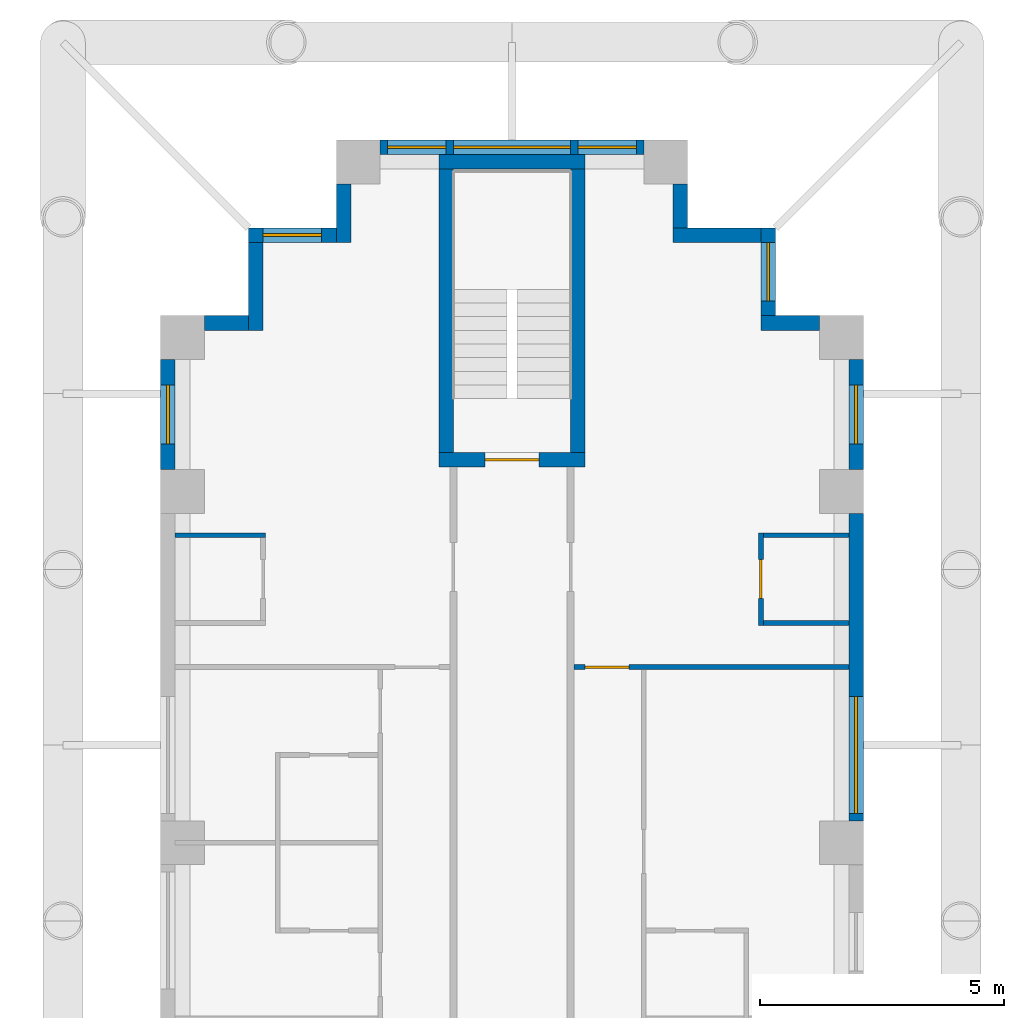
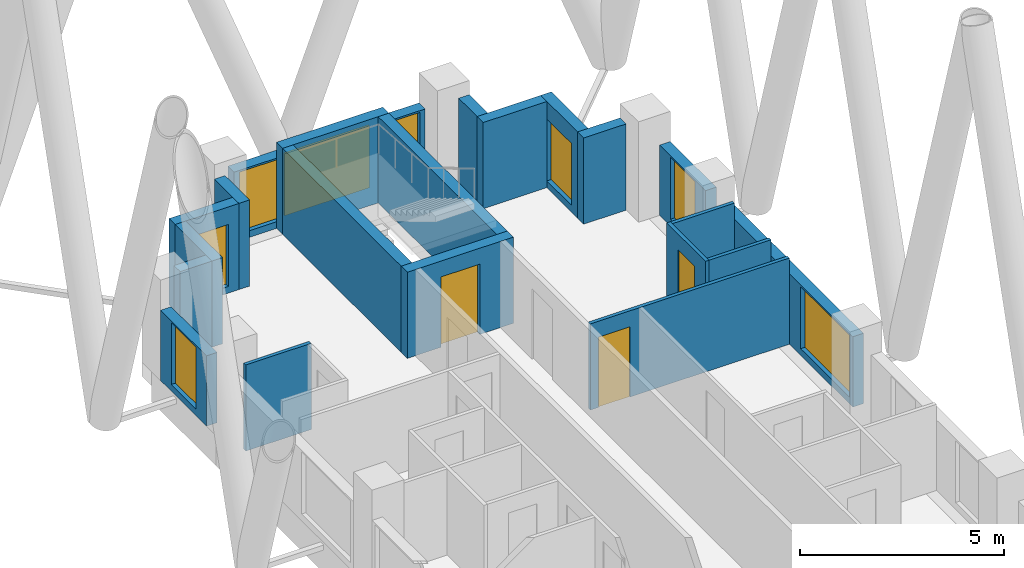
# One storey, part 13 of 17: 21 walls, 8 windows, 3 doors, 11 openings.
"""IFC4 building model written with IfcOpenShell, lengths in metres."""

from ifc_helpers import new_model, si_unit, direction, frame, frame_2d, origin, place, context, subcontext, project, spatial, rectangle, extrude, material, layer, layer_set, type_object, element, fill, save


model = new_model("IFC4")

# Units and contexts
model_context = context("Model", 3, precision=1e-05, world=origin(), true_north=direction((0.0, 1.0)))
body_context = subcontext(model_context, "Body", "Model", "MODEL_VIEW")
ifc_project = project(units=[si_unit("LENGTHUNIT", "METRE"), si_unit("AREAUNIT", "SQUARE_METRE"), si_unit("VOLUMEUNIT", "CUBIC_METRE"), si_unit("PLANEANGLEUNIT", "RADIAN"), si_unit("MASSUNIT", "GRAM", prefix="KILO")], contexts=[model_context])

# Site, building, storey
site_placement = place(None, origin())
site = spatial("IfcSite", under=ifc_project, at=site_placement, CompositionType="ELEMENT")
building_placement = place(site_placement, origin())
building = spatial("IfcBuilding", under=site, at=building_placement, Name="Fustian Cross Tower", CompositionType="ELEMENT")
storey_placement = place(building_placement, frame((0.0, 0.0, 32.699951171875)))
storey = spatial("IfcBuildingStorey", under=building, at=storey_placement, Name="L09", CompositionType="ELEMENT", Elevation=32.699951171875)

# Wall
ifc_material_1 = material(Name="Plasterboard on steel stud", Category="steel")
ifc_layer_1 = layer(ifc_material_1, 0.10009765625)
ifc_layer_set_1 = layer_set([ifc_layer_1], Name="Plasterboard on steel stud")
wall_type_1 = type_object("IfcWallType", Name="PARTITION 100 STUD", PredefinedType="PARTITIONING", material=ifc_layer_set_1)
wall_1_placement = place(storey_placement, frame((-6.89990234375, 35.10009765625, 0.0), z_axis=(0.0, 0.0, 1.0), x_axis=(1.0, 0.0, 0.0)))
element("IfcWall", 1, at=wall_1_placement, inside=storey, type_object=wall_type_1, Name="Partition 20", PredefinedType="PARTITIONING", context=body_context, shape_type="SweptSolid", body=[
    extrude(rectangle(XDim=1.849853515625, YDim=0.10009765625, at=frame_2d((0.9248046875, 0.0))), origin(), (0.0, 0.0, 1.0), 2.574951171875),
])

# Wall, opening, door
wall_2_placement = place(storey_placement, frame((1.27490234375, 32.39990234375, 0.0), z_axis=(0.0, 0.0, 1.0), x_axis=(1.0, 0.0, 0.0)))
wall_2 = element("IfcWall", 2, at=wall_2_placement, inside=storey, type_object=wall_type_1, Name="Partition 61", PredefinedType="PARTITIONING", context=body_context, shape_type="SweptSolid", body=[
    extrude(rectangle(XDim=5.625, YDim=0.10009765625, at=frame_2d((2.8125, 0.0))), origin(), (0.0, 0.0, 1.0), 2.574951171875),
])
opening_1_placement = place(wall_2_placement, frame((0.22509765625, 0.0, 0.0)))
opening_1 = element("IfcOpeningElement", 3, at=opening_1_placement, cuts=wall_2, Name="Opening D06037", PredefinedType="OPENING", context=body_context, shape_type="SweptSolid", body=[
    extrude(rectangle(XDim=0.89990234375, YDim=2.10009765625, at=frame_2d((0.449951171875, 1.050048828125))), frame((0.0, 0.06005859375, 0.0), z_axis=(0.0, -1.0, 0.0), x_axis=(1.0, 0.0, 0.0)), (0.0, 0.0, 1.0), 0.1201171875),
])
ifc_material_2 = material(Name="Painted timber", Category="wood")
door_type_1 = type_object("IfcDoorType", Name="SWING DOOR 900", OperationType="SINGLE_SWING_LEFT", PredefinedType="DOOR", material=ifc_material_2)
door_1_placement = place(opening_1_placement, frame((0.89990234375, 0.0, 0.0), z_axis=(0.0, 0.0, 1.0), x_axis=(-1.0, 0.0, 0.0)))
door_1 = element("IfcDoor", 4, at=door_1_placement, inside=storey, type_object=door_type_1, Name="Door D06037", OperationType="SINGLE_SWING_RIGHT", OverallHeight=2.10009765625, OverallWidth=0.89990234375, PredefinedType="DOOR", context=body_context, shape_type="SweptSolid", body=[
    extrude(rectangle(XDim=0.89990234375, YDim=2.10009765625, at=frame_2d((0.449951171875, 1.050048828125))), frame((0.0, 0.02490234375, 0.0), z_axis=(0.0, -1.0, 0.0), x_axis=(1.0, 0.0, 0.0)), (0.0, 0.0, 1.0), 0.050048828125),
])
fill(opening_1, door_1)

wall_3_placement = place(storey_placement, frame((5.10009765625, 33.25, 0.0), z_axis=(0.0, 0.0, 1.0), x_axis=(0.0, 1.0, 0.0)))
wall_3 = element("IfcWall", 5, at=wall_3_placement, inside=storey, type_object=wall_type_1, Name="Partition 84", PredefinedType="PARTITIONING", context=body_context, shape_type="SweptSolid", body=[
    extrude(rectangle(XDim=1.89990234375, YDim=0.10009765625, at=frame_2d((0.949951171875, 0.0))), origin(), (0.0, 0.0, 1.0), 2.574951171875),
])
opening_2_placement = place(wall_3_placement, frame((0.550048828125, 0.0, 0.0)))
opening_2 = element("IfcOpeningElement", 6, at=opening_2_placement, cuts=wall_3, Name="Opening D06035", PredefinedType="OPENING", context=body_context, shape_type="SweptSolid", body=[
    extrude(rectangle(XDim=0.800048828125, YDim=2.10009765625, at=frame_2d((0.39990234375, 1.050048828125))), frame((0.0, 0.06005859375, 0.0), z_axis=(0.0, -1.0, 0.0), x_axis=(1.0, 0.0, 0.0)), (0.0, 0.0, 1.0), 0.1201171875),
])
ifc_material_3 = material(Name="Painted timber", Category="wood")
door_type_2 = type_object("IfcDoorType", Name="SWING DOOR 800", OperationType="SINGLE_SWING_LEFT", PredefinedType="DOOR", material=ifc_material_3)
door_2_placement = place(opening_2_placement, frame((0.800048828125, 0.0, 0.0), z_axis=(0.0, 0.0, 1.0), x_axis=(-1.0, 0.0, 0.0)))
door_2 = element("IfcDoor", 7, at=door_2_placement, inside=storey, type_object=door_type_2, Name="Door D06035", OperationType="SINGLE_SWING_LEFT", OverallHeight=2.10009765625, OverallWidth=0.800048828125, PredefinedType="DOOR", context=body_context, shape_type="SweptSolid", body=[
    extrude(rectangle(XDim=0.800048828125, YDim=2.10009765625, at=frame_2d((0.39990234375, 1.050048828125))), frame((0.0, 0.02490234375, 0.0), z_axis=(0.0, -1.0, 0.0), x_axis=(1.0, 0.0, 0.0)), (0.0, 0.0, 1.0), 0.050048828125),
])
fill(opening_2, door_2)

# Walls
for number, where, z_axis, x_axis, name in (
    (8, (5.14990234375, 33.300048828125, 0.0), (0.0, 0.0, 1.0), (1.0, 0.0, 0.0), "Partition 85"),
    (9, (5.14990234375, 35.10009765625, 0.0), (0.0, 0.0, 1.0), (1.0, 0.0, 0.0), "Partition 86"),
):
    element("IfcWall", number, at=place(storey_placement, frame(where, z_axis=z_axis, x_axis=x_axis)), inside=storey, type_object=wall_type_1, Name=name, PredefinedType="PARTITIONING", context=body_context, shape_type="SweptSolid", body=[
        extrude(rectangle(XDim=1.75, YDim=0.10009765625, at=frame_2d((0.875, 0.0))), origin(), (0.0, 0.0, 1.0), 2.574951171875),
    ])

# Wall, opening, door
ifc_material_4 = material(Name="Concrete C50/60", Category="concrete")
ifc_layer_2 = layer(ifc_material_4, 0.300048828125)
ifc_layer_set_2 = layer_set([ifc_layer_2], Name="Concrete C50/60")
wall_type_2 = type_object("IfcWallType", Name="STAIR ENCLOSURE WALL 300 C50/60", PredefinedType="SHEAR", material=ifc_layer_set_2)
wall_4_placement = place(storey_placement, frame((-1.5, 36.64990234375, 0.0), z_axis=(0.0, 0.0, 1.0), x_axis=(1.0, 0.0, 0.0)))
wall_4 = element("IfcWall", 10, at=wall_4_placement, inside=storey, type_object=wall_type_2, Name="Stair enclosure wall", PredefinedType="SHEAR", context=body_context, shape_type="SweptSolid", body=[
    extrude(rectangle(XDim=3.0, YDim=0.300048828125, at=frame_2d((1.5, 0.0))), origin(), (0.0, 0.0, 1.0), 2.574951171875),
])
opening_3_placement = place(wall_4_placement, frame((0.949951171875, 0.0, 0.0)))
opening_3 = element("IfcOpeningElement", 11, at=opening_3_placement, cuts=wall_4, Name="Opening CD-06-31", PredefinedType="OPENING", context=body_context, shape_type="SweptSolid", body=[
    extrude(rectangle(XDim=1.10009765625, YDim=2.10009765625, at=frame_2d((0.550048828125, 1.050048828125))), frame((0.0, 0.159912109375, 0.0), z_axis=(0.0, -1.0, 0.0), x_axis=(1.0, 0.0, 0.0)), (0.0, 0.0, 1.0), 0.320068359375),
])
ifc_material_5 = material(Name="Steel", Category="steel")
door_type_3 = type_object("IfcDoorType", Name="FIRE DOOR FD60S 1100X2100", OperationType="SINGLE_SWING_LEFT", PredefinedType="DOOR", material=ifc_material_5)
door_3_placement = place(opening_3_placement, origin())
door_3 = element("IfcDoor", 12, at=door_3_placement, inside=storey, type_object=door_type_3, Name="Core door CD-06-31", OperationType="SINGLE_SWING_LEFT", OverallHeight=2.10009765625, OverallWidth=1.10009765625, PredefinedType="DOOR", context=body_context, shape_type="SweptSolid", body=[
    extrude(rectangle(XDim=1.10009765625, YDim=2.10009765625, at=frame_2d((0.550048828125, 1.050048828125))), frame((0.0, 0.02490234375, 0.0), z_axis=(0.0, -1.0, 0.0), x_axis=(1.0, 0.0, 0.0)), (0.0, 0.0, 1.0), 0.050048828125),
])
fill(opening_3, door_3)

# Walls
wall_5_placement = place(storey_placement, frame((-1.5, 42.75, 0.0), z_axis=(0.0, 0.0, 1.0), x_axis=(1.0, 0.0, 0.0)))
element("IfcWall", 13, at=wall_5_placement, inside=storey, type_object=wall_type_2, Name="Stair enclosure wall", PredefinedType="SHEAR", context=body_context, shape_type="SweptSolid", body=[
    extrude(rectangle(XDim=3.0, YDim=0.300048828125, at=frame_2d((1.5, 0.0))), origin(), (0.0, 0.0, 1.0), 2.574951171875),
])
for number, where, z_axis, x_axis, name in (
    (14, (-1.35009765625, 36.800048828125, 0.0), (0.0, 0.0, 1.0), (0.0, 1.0, 0.0), "Stair enclosure wall"),
    (15, (1.35009765625, 36.800048828125, 0.0), (0.0, 0.0, 1.0), (0.0, 1.0, 0.0), "Stair enclosure wall"),
):
    element("IfcWall", number, at=place(storey_placement, frame(where, z_axis=z_axis, x_axis=x_axis)), inside=storey, type_object=wall_type_2, Name=name, PredefinedType="SHEAR", context=body_context, shape_type="SweptSolid", body=[
        extrude(rectangle(XDim=5.800048828125, YDim=0.300048828125, at=frame_2d((2.89990234375, 0.0))), origin(), (0.0, 0.0, 1.0), 2.574951171875),
    ])

# Wall, opening, window
ifc_material_6 = material(Name="Dark aluminium cladding on insulated backing wall", Category="aluminium")
ifc_layer_3 = layer(ifc_material_6, 0.300048828125)
ifc_layer_set_3 = layer_set([ifc_layer_3], Name="Dark aluminium cladding on insulated backing wall")
wall_type_3 = type_object("IfcWallType", Name="XW1 EXTERNAL WALL 300", PredefinedType="SOLIDWALL", material=ifc_layer_set_3)
wall_6_placement = place(storey_placement, frame((7.050048828125, 29.25, 0.0), z_axis=(0.0, 0.0, 1.0), x_axis=(0.0, 1.0, 0.0)))
wall_6 = element("IfcWall", 16, at=wall_6_placement, inside=storey, type_object=wall_type_3, Name="External wall", PredefinedType="SOLIDWALL", context=body_context, shape_type="SweptSolid", body=[
    extrude(rectangle(XDim=6.300048828125, YDim=0.300048828125, at=frame_2d((3.14990234375, 0.0))), origin(), (0.0, 0.0, 1.0), 2.10009765625),
])
opening_4_placement = place(wall_6_placement, frame((0.14990234375, 0.0, 0.199951171875)))
opening_4 = element("IfcOpeningElement", 17, at=opening_4_placement, cuts=wall_6, Name="Opening WN1", PredefinedType="OPENING", context=body_context, shape_type="SweptSolid", body=[
    extrude(rectangle(XDim=2.39990234375, YDim=1.85009765625, at=frame_2d((1.199951171875, 0.925048828125))), frame((0.0, 0.159912109375, 0.0), z_axis=(0.0, -1.0, 0.0), x_axis=(1.0, 0.0, 0.0)), (0.0, 0.0, 1.0), 0.320068359375),
])
ifc_material_7 = material(Name="Dark anodised aluminium and double glazing", Category="aluminium")
window_type_1 = type_object("IfcWindowType", Name="WN1 WINDOW 2400X1850", PartitioningType="SINGLE_PANEL", PredefinedType="WINDOW", material=ifc_material_7)
window_1_placement = place(opening_4_placement, origin())
window_1 = element("IfcWindow", 18, at=window_1_placement, inside=storey, type_object=window_type_1, Name="Window", OverallHeight=1.85009765625, OverallWidth=2.39990234375, PartitioningType="SINGLE_PANEL", PredefinedType="WINDOW", context=body_context, shape_type="SweptSolid", body=[
    extrude(rectangle(XDim=2.39990234375, YDim=1.85009765625, at=frame_2d((1.199951171875, 0.925048828125))), frame((0.0, 0.030029296875, 0.0), z_axis=(0.0, -1.0, 0.0), x_axis=(1.0, 0.0, 0.0)), (0.0, 0.0, 1.0), 0.06005859375),
])
fill(opening_4, window_1)

wall_7_placement = place(storey_placement, frame((7.050048828125, 36.449951171875, 0.0), z_axis=(0.0, 0.0, 1.0), x_axis=(0.0, 1.0, 0.0)))
wall_7 = element("IfcWall", 19, at=wall_7_placement, inside=storey, type_object=wall_type_3, Name="External wall", PredefinedType="SOLIDWALL", context=body_context, shape_type="SweptSolid", body=[
    extrude(rectangle(XDim=2.25, YDim=0.300048828125, at=frame_2d((1.125, 0.0))), origin(), (0.0, 0.0, 1.0), 2.10009765625),
])
opening_5_placement = place(wall_7_placement, frame((0.52490234375, 0.0, 0.199951171875)))
opening_5 = element("IfcOpeningElement", 20, at=opening_5_placement, cuts=wall_7, Name="Opening WN3", PredefinedType="OPENING", context=body_context, shape_type="SweptSolid", body=[
    extrude(rectangle(XDim=1.199951171875, YDim=1.85009765625, at=frame_2d((0.60009765625, 0.925048828125))), frame((0.0, 0.159912109375, 0.0), z_axis=(0.0, -1.0, 0.0), x_axis=(1.0, 0.0, 0.0)), (0.0, 0.0, 1.0), 0.320068359375),
])
ifc_material_8 = material(Name="Dark anodised aluminium and double glazing", Category="aluminium")
window_type_2 = type_object("IfcWindowType", Name="WN3 WINDOW 1200X1850", PartitioningType="SINGLE_PANEL", PredefinedType="WINDOW", material=ifc_material_8)
window_2_placement = place(opening_5_placement, origin())
window_2 = element("IfcWindow", 21, at=window_2_placement, inside=storey, type_object=window_type_2, Name="Window", OverallHeight=1.85009765625, OverallWidth=1.199951171875, PartitioningType="SINGLE_PANEL", PredefinedType="WINDOW", context=body_context, shape_type="SweptSolid", body=[
    extrude(rectangle(XDim=1.199951171875, YDim=1.85009765625, at=frame_2d((0.60009765625, 0.925048828125))), frame((0.0, 0.030029296875, 0.0), z_axis=(0.0, -1.0, 0.0), x_axis=(1.0, 0.0, 0.0)), (0.0, 0.0, 1.0), 0.06005859375),
])
fill(opening_5, window_2)

# Wall
wall_8_placement = place(storey_placement, frame((6.300048828125, 39.449951171875, 0.0), z_axis=(0.0, 0.0, 1.0), x_axis=(-1.0, 0.0, 0.0)))
element("IfcWall", 22, at=wall_8_placement, inside=storey, type_object=wall_type_3, Name="External wall", PredefinedType="SOLIDWALL", context=body_context, shape_type="SweptSolid", body=[
    extrude(rectangle(XDim=1.199951171875, YDim=0.300048828125, at=frame_2d((0.60009765625, 0.0))), origin(), (0.0, 0.0, 1.0), 2.574951171875),
])

# Wall, opening, window
wall_9_placement = place(storey_placement, frame((5.25, 39.60009765625, 0.0), z_axis=(0.0, 0.0, 1.0), x_axis=(0.0, 1.0, 0.0)))
wall_9 = element("IfcWall", 23, at=wall_9_placement, inside=storey, type_object=wall_type_3, Name="External wall", PredefinedType="SOLIDWALL", context=body_context, shape_type="SweptSolid", body=[
    extrude(rectangle(XDim=1.7998046875, YDim=0.300048828125, at=frame_2d((0.89990234375, 0.0))), origin(), (0.0, 0.0, 1.0), 2.574951171875),
])
opening_6_placement = place(wall_9_placement, frame((0.300048828125, 0.0, 0.199951171875)))
opening_6 = element("IfcOpeningElement", 24, at=opening_6_placement, cuts=wall_9, Name="Opening WN3", PredefinedType="OPENING", context=body_context, shape_type="SweptSolid", body=[
    extrude(rectangle(XDim=1.199951171875, YDim=1.85009765625, at=frame_2d((0.60009765625, 0.925048828125))), frame((0.0, 0.159912109375, 0.0), z_axis=(0.0, -1.0, 0.0), x_axis=(1.0, 0.0, 0.0)), (0.0, 0.0, 1.0), 0.320068359375),
])
window_3_placement = place(opening_6_placement, origin())
window_3 = element("IfcWindow", 25, at=window_3_placement, inside=storey, type_object=window_type_2, Name="Window", OverallHeight=1.85009765625, OverallWidth=1.199951171875, PartitioningType="SINGLE_PANEL", PredefinedType="WINDOW", context=body_context, shape_type="SweptSolid", body=[
    extrude(rectangle(XDim=1.199951171875, YDim=1.85009765625, at=frame_2d((0.60009765625, 0.925048828125))), frame((0.0, 0.030029296875, 0.0), z_axis=(0.0, -1.0, 0.0), x_axis=(1.0, 0.0, 0.0)), (0.0, 0.0, 1.0), 0.06005859375),
])
fill(opening_6, window_3)

# Walls
wall_10_placement = place(storey_placement, frame((5.10009765625, 41.25, 0.0), z_axis=(0.0, 0.0, 1.0), x_axis=(-1.0, 0.0, 0.0)))
element("IfcWall", 26, at=wall_10_placement, inside=storey, type_object=wall_type_3, Name="External wall", PredefinedType="SOLIDWALL", context=body_context, shape_type="SweptSolid", body=[
    extrude(rectangle(XDim=1.800048828125, YDim=0.300048828125, at=frame_2d((0.89990234375, 0.0))), origin(), (0.0, 0.0, 1.0), 2.574951171875),
])
wall_11_placement = place(storey_placement, frame((3.449951171875, 41.39990234375, 0.0), z_axis=(0.0, 0.0, 1.0), x_axis=(0.0, 1.0, 0.0)))
element("IfcWall", 27, at=wall_11_placement, inside=storey, type_object=wall_type_3, Name="External wall", PredefinedType="SOLIDWALL", context=body_context, shape_type="SweptSolid", body=[
    extrude(rectangle(XDim=0.900146484375, YDim=0.300048828125, at=frame_2d((0.4501953125, 0.0))), origin(), (0.0, 0.0, 1.0), 2.574951171875),
])

# Wall, openings, windows
wall_12_placement = place(storey_placement, frame((2.699951171875, 43.050048828125, 0.0), z_axis=(0.0, 0.0, 1.0), x_axis=(-1.0, 0.0, 0.0)))
wall_12 = element("IfcWall", 28, at=wall_12_placement, inside=storey, type_object=wall_type_3, Name="External wall", PredefinedType="SOLIDWALL", context=body_context, shape_type="SweptSolid", body=[
    extrude(rectangle(XDim=5.39990234375, YDim=0.300048828125, at=frame_2d((2.699951171875, 0.0))), origin(), (0.0, 0.0, 1.0), 2.10009765625),
])
opening_7_placement = place(wall_12_placement, frame((1.5, 0.0, 0.199951171875)))
opening_7 = element("IfcOpeningElement", 29, at=opening_7_placement, cuts=wall_12, Name="Opening WN1", PredefinedType="OPENING", context=body_context, shape_type="SweptSolid", body=[
    extrude(rectangle(XDim=2.39990234375, YDim=1.85009765625, at=frame_2d((1.199951171875, 0.925048828125))), frame((0.0, 0.159912109375, 0.0), z_axis=(0.0, -1.0, 0.0), x_axis=(1.0, 0.0, 0.0)), (0.0, 0.0, 1.0), 0.320068359375),
])
opening_8_placement = place(wall_12_placement, frame((0.14990234375, 0.0, 0.199951171875)))
opening_8 = element("IfcOpeningElement", 30, at=opening_8_placement, cuts=wall_12, Name="Opening WN3", PredefinedType="OPENING", context=body_context, shape_type="SweptSolid", body=[
    extrude(rectangle(XDim=1.199951171875, YDim=1.85009765625, at=frame_2d((0.60009765625, 0.925048828125))), frame((0.0, 0.159912109375, 0.0), z_axis=(0.0, -1.0, 0.0), x_axis=(1.0, 0.0, 0.0)), (0.0, 0.0, 1.0), 0.320068359375),
])
opening_9_placement = place(wall_12_placement, frame((4.050048828125, 0.0, 0.199951171875)))
opening_9 = element("IfcOpeningElement", 31, at=opening_9_placement, cuts=wall_12, Name="Opening WN3", PredefinedType="OPENING", context=body_context, shape_type="SweptSolid", body=[
    extrude(rectangle(XDim=1.199951171875, YDim=1.85009765625, at=frame_2d((0.60009765625, 0.925048828125))), frame((0.0, 0.159912109375, 0.0), z_axis=(0.0, -1.0, 0.0), x_axis=(1.0, 0.0, 0.0)), (0.0, 0.0, 1.0), 0.320068359375),
])
window_4_placement = place(opening_7_placement, origin())
window_4 = element("IfcWindow", 32, at=window_4_placement, inside=storey, type_object=window_type_1, Name="Window", OverallHeight=1.85009765625, OverallWidth=2.39990234375, PartitioningType="SINGLE_PANEL", PredefinedType="WINDOW", context=body_context, shape_type="SweptSolid", body=[
    extrude(rectangle(XDim=2.39990234375, YDim=1.85009765625, at=frame_2d((1.199951171875, 0.925048828125))), frame((0.0, 0.030029296875, 0.0), z_axis=(0.0, -1.0, 0.0), x_axis=(1.0, 0.0, 0.0)), (0.0, 0.0, 1.0), 0.06005859375),
])
fill(opening_7, window_4)
window_5_placement = place(opening_8_placement, origin())
window_5 = element("IfcWindow", 33, at=window_5_placement, inside=storey, type_object=window_type_2, Name="Window", OverallHeight=1.85009765625, OverallWidth=1.199951171875, PartitioningType="SINGLE_PANEL", PredefinedType="WINDOW", context=body_context, shape_type="SweptSolid", body=[
    extrude(rectangle(XDim=1.199951171875, YDim=1.85009765625, at=frame_2d((0.60009765625, 0.925048828125))), frame((0.0, 0.030029296875, 0.0), z_axis=(0.0, -1.0, 0.0), x_axis=(1.0, 0.0, 0.0)), (0.0, 0.0, 1.0), 0.06005859375),
])
fill(opening_8, window_5)
window_6_placement = place(opening_9_placement, origin())
window_6 = element("IfcWindow", 34, at=window_6_placement, inside=storey, type_object=window_type_2, Name="Window", OverallHeight=1.85009765625, OverallWidth=1.199951171875, PartitioningType="SINGLE_PANEL", PredefinedType="WINDOW", context=body_context, shape_type="SweptSolid", body=[
    extrude(rectangle(XDim=1.199951171875, YDim=1.85009765625, at=frame_2d((0.60009765625, 0.925048828125))), frame((0.0, 0.030029296875, 0.0), z_axis=(0.0, -1.0, 0.0), x_axis=(1.0, 0.0, 0.0)), (0.0, 0.0, 1.0), 0.06005859375),
])
fill(opening_9, window_6)

# Wall
wall_13_placement = place(storey_placement, frame((-3.449951171875, 42.300048828125, 0.0), z_axis=(0.0, 0.0, 1.0), x_axis=(0.0, -1.0, 0.0)))
element("IfcWall", 35, at=wall_13_placement, inside=storey, type_object=wall_type_3, Name="External wall", PredefinedType="SOLIDWALL", context=body_context, shape_type="SweptSolid", body=[
    extrude(rectangle(XDim=1.199951171875, YDim=0.300048828125, at=frame_2d((0.60009765625, 0.0))), origin(), (0.0, 0.0, 1.0), 2.574951171875),
])

# Wall, opening, window
wall_14_placement = place(storey_placement, frame((-3.60009765625, 41.25, 0.0), z_axis=(0.0, 0.0, 1.0), x_axis=(-1.0, 0.0, 0.0)))
wall_14 = element("IfcWall", 36, at=wall_14_placement, inside=storey, type_object=wall_type_3, Name="External wall", PredefinedType="SOLIDWALL", context=body_context, shape_type="SweptSolid", body=[
    extrude(rectangle(XDim=1.7998046875, YDim=0.300048828125, at=frame_2d((0.89990234375, 0.0))), origin(), (0.0, 0.0, 1.0), 2.574951171875),
])
opening_10_placement = place(wall_14_placement, frame((0.300048828125, 0.0, 0.199951171875)))
opening_10 = element("IfcOpeningElement", 37, at=opening_10_placement, cuts=wall_14, Name="Opening WN3", PredefinedType="OPENING", context=body_context, shape_type="SweptSolid", body=[
    extrude(rectangle(XDim=1.199951171875, YDim=1.85009765625, at=frame_2d((0.60009765625, 0.925048828125))), frame((0.0, 0.159912109375, 0.0), z_axis=(0.0, -1.0, 0.0), x_axis=(1.0, 0.0, 0.0)), (0.0, 0.0, 1.0), 0.320068359375),
])
window_7_placement = place(opening_10_placement, origin())
window_7 = element("IfcWindow", 38, at=window_7_placement, inside=storey, type_object=window_type_2, Name="Window", OverallHeight=1.85009765625, OverallWidth=1.199951171875, PartitioningType="SINGLE_PANEL", PredefinedType="WINDOW", context=body_context, shape_type="SweptSolid", body=[
    extrude(rectangle(XDim=1.199951171875, YDim=1.85009765625, at=frame_2d((0.60009765625, 0.925048828125))), frame((0.0, 0.030029296875, 0.0), z_axis=(0.0, -1.0, 0.0), x_axis=(1.0, 0.0, 0.0)), (0.0, 0.0, 1.0), 0.06005859375),
])
fill(opening_10, window_7)

# Walls
wall_15_placement = place(storey_placement, frame((-5.25, 41.10009765625, 0.0), z_axis=(0.0, 0.0, 1.0), x_axis=(0.0, -1.0, 0.0)))
element("IfcWall", 39, at=wall_15_placement, inside=storey, type_object=wall_type_3, Name="External wall", PredefinedType="SOLIDWALL", context=body_context, shape_type="SweptSolid", body=[
    extrude(rectangle(XDim=1.800048828125, YDim=0.300048828125, at=frame_2d((0.89990234375, 0.0))), origin(), (0.0, 0.0, 1.0), 2.574951171875),
])
wall_16_placement = place(storey_placement, frame((-5.39990234375, 39.449951171875, 0.0), z_axis=(0.0, 0.0, 1.0), x_axis=(-1.0, 0.0, 0.0)))
element("IfcWall", 40, at=wall_16_placement, inside=storey, type_object=wall_type_3, Name="External wall", PredefinedType="SOLIDWALL", context=body_context, shape_type="SweptSolid", body=[
    extrude(rectangle(XDim=0.900146484375, YDim=0.300048828125, at=frame_2d((0.4501953125, 0.0))), origin(), (0.0, 0.0, 1.0), 2.574951171875),
])

# Wall, opening, window
wall_17_placement = place(storey_placement, frame((-7.050048828125, 38.699951171875, 0.0), z_axis=(0.0, 0.0, 1.0), x_axis=(0.0, -1.0, 0.0)))
wall_17 = element("IfcWall", 41, at=wall_17_placement, inside=storey, type_object=wall_type_3, Name="External wall", PredefinedType="SOLIDWALL", context=body_context, shape_type="SweptSolid", body=[
    extrude(rectangle(XDim=2.25, YDim=0.300048828125, at=frame_2d((1.125, 0.0))), origin(), (0.0, 0.0, 1.0), 2.10009765625),
])
opening_11_placement = place(wall_17_placement, frame((0.52490234375, 0.0, 0.199951171875)))
opening_11 = element("IfcOpeningElement", 42, at=opening_11_placement, cuts=wall_17, Name="Opening WN3", PredefinedType="OPENING", context=body_context, shape_type="SweptSolid", body=[
    extrude(rectangle(XDim=1.199951171875, YDim=1.85009765625, at=frame_2d((0.60009765625, 0.925048828125))), frame((0.0, 0.159912109375, 0.0), z_axis=(0.0, -1.0, 0.0), x_axis=(1.0, 0.0, 0.0)), (0.0, 0.0, 1.0), 0.320068359375),
])
window_8_placement = place(opening_11_placement, origin())
window_8 = element("IfcWindow", 43, at=window_8_placement, inside=storey, type_object=window_type_2, Name="Window", OverallHeight=1.85009765625, OverallWidth=1.199951171875, PartitioningType="SINGLE_PANEL", PredefinedType="WINDOW", context=body_context, shape_type="SweptSolid", body=[
    extrude(rectangle(XDim=1.199951171875, YDim=1.85009765625, at=frame_2d((0.60009765625, 0.925048828125))), frame((0.0, 0.030029296875, 0.0), z_axis=(0.0, -1.0, 0.0), x_axis=(1.0, 0.0, 0.0)), (0.0, 0.0, 1.0), 0.06005859375),
])
fill(opening_11, window_8)

save(model, "model.ifc")
